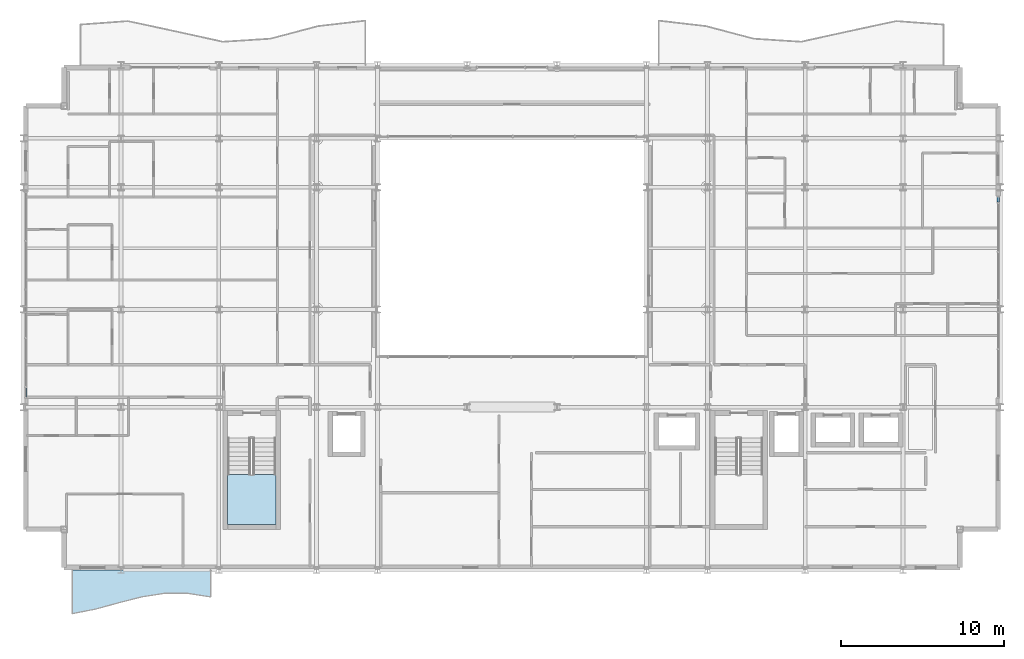
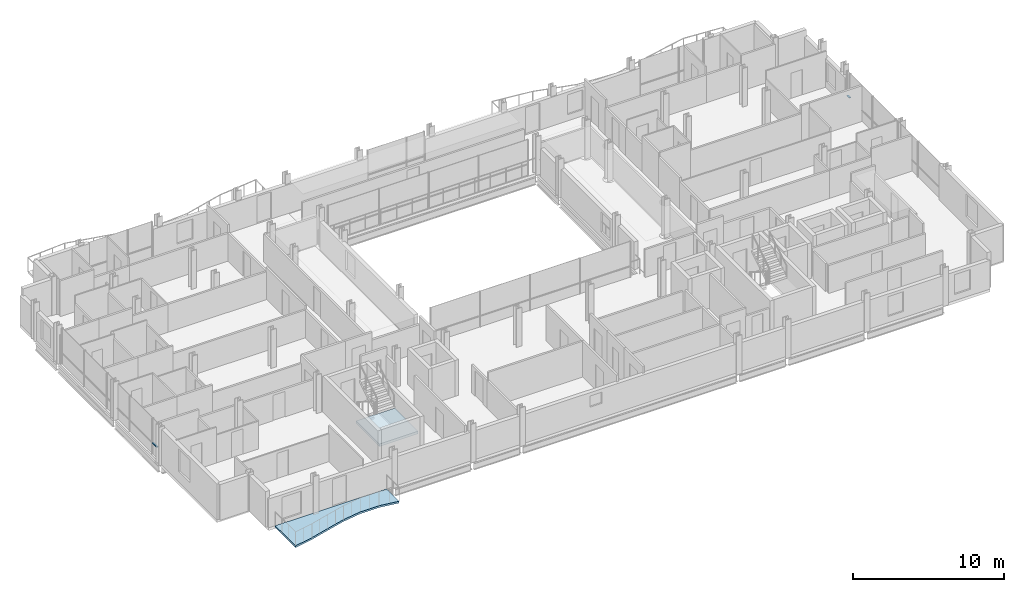
# One storey, part 27 of 41: 2 members, 2 slabs, 3 elements without a shape of their own.
"""IFC4 building model written with IfcOpenShell, lengths in metres."""

from ifc_helpers import new_model, si_unit, direction, frame, origin, origin_2d, place, context, subcontext, project, spatial, polyline, hollow_rectangle, outline, extrude, material, layer, layer_set, material_profile, profile_set, type_object, element, aggregate, save


model = new_model("IFC4")

# Units and contexts
model_context = context("Model", 3, precision=1e-05, world=origin(), true_north=direction((0.0, 1.0)))
body_context = subcontext(model_context, "Body", "Model", "MODEL_VIEW")
ifc_project = project(units=[si_unit("LENGTHUNIT", "METRE"), si_unit("AREAUNIT", "SQUARE_METRE"), si_unit("VOLUMEUNIT", "CUBIC_METRE"), si_unit("PLANEANGLEUNIT", "RADIAN"), si_unit("MASSUNIT", "GRAM", prefix="KILO")], contexts=[model_context])

# Site, building, storey
site_placement = place(None, origin())
site = spatial("IfcSite", under=ifc_project, at=site_placement, CompositionType="ELEMENT")
building_placement = place(site_placement, origin())
building = spatial("IfcBuilding", under=site, at=building_placement, Name="Brevholm Reach", CompositionType="ELEMENT")
storey_placement = place(building_placement, frame((0.0, 0.0, 151.10009765625)))
storey = spatial("IfcBuildingStorey", under=building, at=storey_placement, Name="L45", CompositionType="ELEMENT", Elevation=151.10009765625)

# Curtain wall, member
ifc_material_1 = material(Name="Dark Anodised Aluminium 6063-T6 and Solar-Control Glass", Category="aluminium")
ifc_layer_1 = layer(ifc_material_1, 0.14990234375)
ifc_layer_set_1 = layer_set([ifc_layer_1], Name="Dark Anodised Aluminium 6063-T6 and Solar-Control Glass")
curtain_wall_type = type_object("IfcCurtainWallType", Name="CW-01", PredefinedType="NOTDEFINED", material=ifc_layer_set_1)
curtain_wall_1_placement = place(storey_placement, origin())
curtain_wall_1 = element("IfcCurtainWall", 1, at=curtain_wall_1_placement, inside=storey, type_object=curtain_wall_type, Name="L45 Curtain Wall CW-01", PredefinedType="NOTDEFINED")
ifc_material_2 = material(Name="Dark Anodised Aluminium 6063-T6", Category="aluminium")
ifc_material_profile = material_profile(ifc_material_2, hollow_rectangle(XDim=0.06494140625, YDim=0.14990234375, WallThickness=0.0048828125, InnerFilletRadius=0.0048828125, OuterFilletRadius=0.010009765625, at=origin_2d()), Name="RHS 150x65x5")
ifc_profile_set = profile_set([ifc_material_profile], Name="Dark Anodised Aluminium 6063-T6")
member_type = type_object("IfcMemberType", Name="CWT-150", PredefinedType="NOTDEFINED", material=ifc_profile_set)
member_1_placement = place(storey_placement, frame((0.14990234375, 11.1875, 0.89990234375), z_axis=(0.0, -1.0, 0.0), x_axis=(0.0, 0.0, 1.0)))
member_1 = element("IfcMember", 2, at=member_1_placement, type_object=member_type, Name="CT-150 Transom 5.1", ObjectType="TRANSOM", PredefinedType="USERDEFINED", context=body_context, shape_type="SweptSolid", body=[
    extrude(hollow_rectangle(XDim=0.06494140625, YDim=0.14990234375, WallThickness=0.0048828125, InnerFilletRadius=0.0048828125, OuterFilletRadius=0.010009765625, at=origin_2d()), origin(), (0.0, 0.0, 1.0), 0.572509765625),
])
aggregate(curtain_wall_1, [member_1])

curtain_wall_2_placement = place(storey_placement, origin())
curtain_wall_2 = element("IfcCurtainWall", 3, at=curtain_wall_2_placement, inside=storey, type_object=curtain_wall_type, Name="L45 Curtain Wall CW-01", PredefinedType="NOTDEFINED")
member_2_placement = place(storey_placement, frame((59.85009765625, 22.58251953125, 0.89990234375), z_axis=(0.0, 1.0, 0.0), x_axis=(0.0, 0.0, 1.0)))
member_2 = element("IfcMember", 4, at=member_2_placement, type_object=member_type, Name="CT-150 Transom 5.1", ObjectType="TRANSOM", PredefinedType="USERDEFINED", context=body_context, shape_type="SweptSolid", body=[
    extrude(hollow_rectangle(XDim=0.06494140625, YDim=0.14990234375, WallThickness=0.0048828125, InnerFilletRadius=0.0048828125, OuterFilletRadius=0.010009765625, at=origin_2d()), origin(), (0.0, 0.0, 1.0), 0.302490234375),
])
aggregate(curtain_wall_2, [member_2])

# Slab
ifc_material_3 = material(Name="Precast Concrete C45/55", Category="concrete")
ifc_layer_2 = layer(ifc_material_3, 0.14990234375)
ifc_layer_set_2 = layer_set([ifc_layer_2], Name="Precast Concrete C45/55")
slab_type_1 = type_object("IfcSlabType", Name="SLB-BAL-150", PredefinedType="FLOOR", material=ifc_layer_set_2)
slab_1_placement = place(storey_placement, frame((0.0, 0.0, -0.150146484375)))
element("IfcSlab", 5, at=slab_1_placement, inside=storey, type_object=slab_type_1, Name="L45 Rippling External Balcony SW", PredefinedType="FLOOR", context=body_context, shape_type="SweptSolid", body=[
    extrude(outline(polyline([(3.0, -2.676513671875), (4.416748046875, -2.402099609375), (5.833251953125, -2.01611328125), (7.25, -1.650146484375), (8.666748046875, -1.429443359375), (10.083251953125, -1.429443359375), (11.5, -1.650146484375), (11.5, 0.0), (3.0, 0.0), (3.0, -2.676513671875)])), origin(), (0.0, 0.0, 1.0), 0.150146484375),
])

# Stair, slab
ifc_material_4 = material(Name="Precast Concrete C40/50", Category="concrete")
stair_type = type_object("IfcStairType", Name="STR-ESC-1400", PredefinedType="DOUBLE_RETURN_STAIR", material=ifc_material_4)
stair_placement = place(storey_placement, origin())
stair = element("IfcStair", 6, at=stair_placement, inside=storey, type_object=stair_type, Name="L45 ST-1", PredefinedType="DOUBLE_RETURN_STAIR")
ifc_material_5 = material(Name="Concrete C40/50", Category="concrete")
ifc_layer_3 = layer(ifc_material_5, 0.199951171875)
ifc_layer_set_3 = layer_set([ifc_layer_3], Name="Concrete C40/50")
slab_type_2 = type_object("IfcSlabType", Name="SLB-LND-200", PredefinedType="LANDING", material=ifc_layer_set_3)
slab_2_placement = place(storey_placement, frame((0.0, 0.0, 1.349853515625)))
slab_2 = element("IfcSlab", 7, at=slab_2_placement, type_object=slab_type_2, Name="ST-1 landing 1", PredefinedType="LANDING", context=body_context, shape_type="SweptSolid", body=[
    extrude(outline(polyline([(12.550048828125, 5.860107421875), (12.550048828125, 2.780029296875), (15.5, 2.780029296875), (15.5, 5.860107421875), (12.550048828125, 5.860107421875)])), origin(), (0.0, 0.0, 1.0), 0.199951171875),
])
aggregate(stair, [slab_2])

save(model, "model.ifc")
